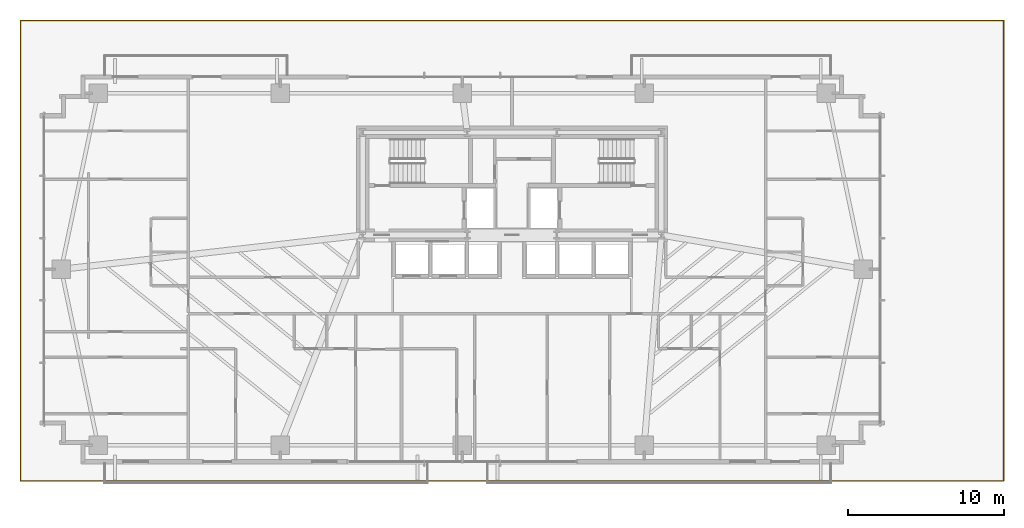
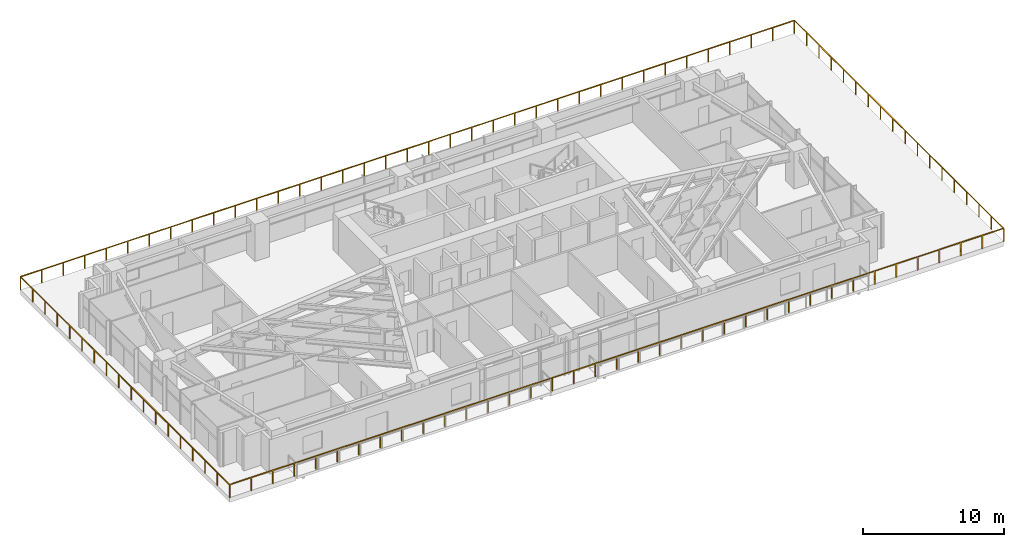
# One storey, part 24 of 26: 2 railings.
"""IFC4 building model written with IfcOpenShell, lengths in metres."""

import ifcopenshell
import ifcopenshell.guid

model = None  # the IFC model being written
_history = None  # IfcOwnerHistory: only IFC2X3 demands one
_inside = {}  # id of a spatial element -> (the spatial element, [elements in it])
_under = {}  # id of a project, library or spatial element -> (it, [spatial elements below it])
_declared = {}  # id of a project -> (the project, [libraries it declares])
_typed = {}  # id of a type object -> (the type object, [elements of that type])
_made_of = {}  # id of a material, layer set ... -> (it, [elements and type objects made of it])


def new_model(schema):
    """Start an empty IFC model of exactly this schema.

    Asked for "IFC4X3", IfcOpenShell would pick the latest addendum, in which some entities
    have other attributes; the version numbers below select the first issue.
    IFC2X3 requires an IfcOwnerHistory on every rooted entity: one is made here for all.
    """
    global model, _history
    if schema == "IFC4X3":
        model = ifcopenshell.file(schema_version=(4, 3, 0, 0))
    else:
        model = ifcopenshell.file(schema=schema)
    _inside.clear()
    _under.clear()
    _declared.clear()
    _typed.clear()
    _made_of.clear()
    _history = None
    if model.schema == "IFC2X3":
        org = make("IfcOrganization", Name="unknown")
        user = make(
            "IfcPersonAndOrganization",
            ThePerson=make("IfcPerson", FamilyName="unknown"),
            TheOrganization=org,
        )
        app = make(
            "IfcApplication",
            ApplicationDeveloper=org,
            Version="unknown",
            ApplicationFullName="unknown",
            ApplicationIdentifier="unknown",
        )
        _history = make(
            "IfcOwnerHistory",
            OwningUser=user,
            OwningApplication=app,
            ChangeAction="ADDED",
            CreationDate=0,
        )
    return model


def make(cls, **values):
    """One entity of the class cls with the attributes given. An attribute that is None is left unset."""
    return model.create_entity(
        cls, **{name: value for name, value in values.items() if value is not None}
    )


def rooted(cls, **values):
    """An entity with a GlobalId (a new one), such as an element, a storey or a relation."""
    return make(cls, GlobalId=ifcopenshell.guid.new(), OwnerHistory=_history, **values)


def si_unit(unit_type, name, prefix=None):
    """IfcSIUnit, for example si_unit("LENGTHUNIT", "METRE", prefix="MILLI")."""
    return make("IfcSIUnit", UnitType=unit_type, Prefix=prefix, Name=name)


def assignment(units):
    """IfcUnitAssignment: the units of a project."""
    return None if units is None else make("IfcUnitAssignment", Units=units)


def point(xyz):
    """IfcCartesianPoint."""
    return None if xyz is None else make("IfcCartesianPoint", Coordinates=xyz)


def direction(xyz):
    """IfcDirection."""
    return None if xyz is None else make("IfcDirection", DirectionRatios=xyz)


def frame(location, z_axis=None, x_axis=None):
    """IfcAxis2Placement3D, a coordinate frame: its origin and axes. An axis left out is left unset."""
    return make(
        "IfcAxis2Placement3D",
        Location=point(location),
        Axis=direction(z_axis),
        RefDirection=direction(x_axis),
    )


def frame_2d(location, x_axis=None):
    """IfcAxis2Placement2D, a coordinate frame in the plane: its origin and x axis."""
    return make(
        "IfcAxis2Placement2D", Location=point(location), RefDirection=direction(x_axis)
    )


def origin():
    """The frame at (0, 0, 0) with its axes left unset."""
    return frame((0.0, 0.0, 0.0))


def origin_2d():
    """The frame at (0, 0) in the plane with its x axis left unset."""
    return frame_2d((0.0, 0.0))


def place(relative_to, where):
    """IfcLocalPlacement: puts the frame where relative to a parent placement (None: the world)."""
    return make(
        "IfcLocalPlacement", PlacementRelTo=relative_to, RelativePlacement=where
    )


def context(
    kind, dimensions, precision=None, world=None, true_north=None, identifier=None
):
    """IfcGeometricRepresentationContext, for example the 3D "Model" context."""
    return make(
        "IfcGeometricRepresentationContext",
        ContextIdentifier=identifier,
        ContextType=kind,
        CoordinateSpaceDimension=dimensions,
        Precision=precision,
        WorldCoordinateSystem=world,
        TrueNorth=true_north,
    )


def subcontext(parent, identifier, kind, view, scale=None):
    """IfcGeometricRepresentationSubContext, for example "Body" below "Model"."""
    return make(
        "IfcGeometricRepresentationSubContext",
        ContextIdentifier=identifier,
        ContextType=kind,
        ParentContext=parent,
        TargetScale=scale,
        TargetView=view,
    )


def project(units=None, contexts=None):
    """IfcProject with its units and contexts."""
    return rooted(
        "IfcProject",
        Name="project",
        RepresentationContexts=contexts,
        UnitsInContext=assignment(units),
    )


def spatial(cls, under=None, at=None, **own):
    """A site, building, storey or space (cls), placed at a placement, below another one or the project."""
    s = rooted(cls, ObjectPlacement=at, **own)
    if under is not None:
        _under.setdefault(under.id(), (under, []))[1].append(s)
    return s


def profile(cls, at=None, kind="AREA", **sizes):
    """A parametric profile (cls). Its sizes go by their IFC names, for example OverallWidth=200.0."""
    return make(cls, ProfileType=kind, Position=at, **sizes)


def rectangle(**sizes):
    """IfcRectangleProfileDef."""
    return profile("IfcRectangleProfileDef", **sizes)


def extrude(swept, where, along, depth):
    """IfcExtrudedAreaSolid: the profile swept, set in the frame where, extruded along a direction by depth."""
    return make(
        "IfcExtrudedAreaSolid",
        SweptArea=swept,
        Position=where,
        ExtrudedDirection=direction(along),
        Depth=depth,
    )


def shape(context_of_items, identifier, shape_type, items):
    """IfcShapeRepresentation: the items that make up one representation, for example the "Body"."""
    return make(
        "IfcShapeRepresentation",
        ContextOfItems=context_of_items,
        RepresentationIdentifier=identifier,
        RepresentationType=shape_type,
        Items=items,
    )


def source(mapping_origin, context_of_items, identifier, shape_type, items):
    """IfcRepresentationMap: a shape defined once, which mapped items show again and again."""
    return make(
        "IfcRepresentationMap",
        MappingOrigin=mapping_origin,
        MappedRepresentation=shape(context_of_items, identifier, shape_type, items),
    )


def transform(
    local_origin,
    x_axis=None,
    y_axis=None,
    z_axis=None,
    scale=None,
    scale2=None,
    scale3=None,
    uniform=True,
):
    """IfcCartesianTransformationOperator3D, or its non-uniform kind. x_axis, y_axis, z_axis: its Axis1, 2, 3."""
    if uniform:
        return make(
            "IfcCartesianTransformationOperator3D",
            Axis1=direction(x_axis),
            Axis2=direction(y_axis),
            LocalOrigin=point(local_origin),
            Scale=scale,
            Axis3=direction(z_axis),
        )
    return make(
        "IfcCartesianTransformationOperator3DnonUniform",
        Axis1=direction(x_axis),
        Axis2=direction(y_axis),
        LocalOrigin=point(local_origin),
        Scale=scale,
        Axis3=direction(z_axis),
        Scale2=scale2,
        Scale3=scale3,
    )


def mapped(mapping_source, mapping_target):
    """IfcMappedItem: shows the shape of a source again, moved by a transform."""
    return make(
        "IfcMappedItem", MappingSource=mapping_source, MappingTarget=mapping_target
    )


def material(Name=None, Category=None):
    """IfcMaterial."""
    return make("IfcMaterial", Name=Name, Category=Category)


def made_of(thing, what):
    """Note that an element or type object is made of a material, layer set ...; save() writes the relation."""
    if what is not None:
        _made_of.setdefault(what.id(), (what, []))[1].append(thing)
    return thing


def type_object(cls, material=None, **own):
    """A type object (cls), such as IfcWallType, which elements share."""
    return made_of(rooted(cls, **own), material)


def type_shapes(of_type, sources):
    """Give a type object the sources (RepresentationMaps) that its elements show as mapped items."""
    of_type.RepresentationMaps = sources


def element(
    cls,
    number,
    at=None,
    inside=None,
    cuts=None,
    type_object=None,
    material=None,
    context=None,
    identifier="Body",
    shape_type=None,
    held_by="IfcProductDefinitionShape",
    body=None,
    shapes=None,
    **own,
):
    """One element of the class cls, such as IfcWall. Its Tag is "e" and its number.

    at: its placement. inside: the storey or other place that contains it. cuts: it is an
    opening in that element (IfcRelVoidsElement). A single representation is given by context,
    identifier, shape_type and body (its items); several are given by shapes. held_by: the class
    of the entity that holds the representations. save() writes the other relations.
    """
    e = rooted(cls, Tag="e%d" % number, ObjectPlacement=at, **own)
    if body is not None:
        shapes = [shape(context, identifier, shape_type, body)]
    if shapes is not None:
        e.Representation = make(held_by, Representations=shapes)
    if inside is not None:
        _inside.setdefault(inside.id(), (inside, []))[1].append(e)
    if cuts is not None:
        rooted(
            "IfcRelVoidsElement", RelatingBuildingElement=cuts, RelatedOpeningElement=e
        )
    if type_object is not None:
        _typed.setdefault(type_object.id(), (type_object, []))[1].append(e)
    return made_of(e, material)


def aggregate(whole, parts):
    """IfcRelAggregates: a whole, such as a stair, and the parts it consists of."""
    return rooted("IfcRelAggregates", RelatingObject=whole, RelatedObjects=parts)


def save(model, path):
    """Write the relations noted so far, then the file.

    IfcRelAggregates (storeys below a building ...), IfcRelContainedInSpatialStructure (elements
    in a storey), IfcRelDefinesByType, IfcRelAssociatesMaterial and IfcRelDeclares: one each for
    every whole, place, type object, material and project.
    """
    for whole, parts in _under.values():
        aggregate(whole, parts)
    for where, things in _inside.values():
        rooted(
            "IfcRelContainedInSpatialStructure",
            RelatedElements=things,
            RelatingStructure=where,
        )
    for kind, things in _typed.values():
        rooted("IfcRelDefinesByType", RelatedObjects=things, RelatingType=kind)
    for what, things in _made_of.values():
        rooted("IfcRelAssociatesMaterial", RelatedObjects=things, RelatingMaterial=what)
    for by, libraries in _declared.values():
        rooted("IfcRelDeclares", RelatingContext=by, RelatedDefinitions=libraries)
    model.write(path)


model = new_model("IFC4")

# Units and contexts
model_context = context("Model", 3, precision=1e-05, world=origin(), true_north=direction((0.0, 1.0)))
body_context = subcontext(model_context, "Body", "Model", "MODEL_VIEW")
ifc_project = project(units=[si_unit("LENGTHUNIT", "METRE"), si_unit("AREAUNIT", "SQUARE_METRE"), si_unit("VOLUMEUNIT", "CUBIC_METRE"), si_unit("PLANEANGLEUNIT", "RADIAN"), si_unit("MASSUNIT", "GRAM", prefix="KILO")], contexts=[model_context])

# Site, building, storey
site_placement = place(None, origin())
site = spatial("IfcSite", under=ifc_project, at=site_placement, CompositionType="ELEMENT")
building_placement = place(site_placement, origin())
building = spatial("IfcBuilding", under=site, at=building_placement, Name="Astriad Promenade Condominiums", CompositionType="ELEMENT")
storey_placement = place(building_placement, frame((0.0, 0.0, 23.0)))
storey = spatial("IfcBuildingStorey", under=building, at=storey_placement, Name="L05", CompositionType="ELEMENT", Elevation=23.0)

# Railings
ifc_material = material(Name="Anodised Aluminium and Glass Terrace Guardrail", Category="aluminium")
railing_type = type_object("IfcRailingType", Name="GRD-TERR-1150", PredefinedType="GUARDRAIL", material=ifc_material)
shared_shape_1 = source(origin(), body_context, "Body", "SweptSolid", [
    extrude(rectangle(XDim=0.048095703125, YDim=0.048095703125, at=origin_2d()), frame((0.0, 0.0, 1.1259765625), z_axis=(1.0, 0.0, 0.0), x_axis=(0.0, 1.0, 0.0)), (0.0, 0.0, 1.0), 63.2001953125),
    extrude(rectangle(XDim=0.048095703125, YDim=0.048095703125, at=origin_2d()), frame((63.2001953125, 0.0, 1.1259765625), z_axis=(0.0, -1.0, 0.0), x_axis=(1.0, 0.0, 0.0)), (0.0, 0.0, 1.0), 29.599853515625),
    extrude(rectangle(XDim=0.0419921875, YDim=0.0419921875, at=origin_2d()), origin(), (0.0, 0.0, 1.0), 1.101806640625),
    extrude(rectangle(XDim=0.0419921875, YDim=0.0419921875, at=origin_2d()), frame((1.755615234375, 0.0, 0.0)), (0.0, 0.0, 1.0), 1.101806640625),
    extrude(rectangle(XDim=0.0419921875, YDim=0.0419921875, at=origin_2d()), frame((3.51123046875, 0.0, 0.0)), (0.0, 0.0, 1.0), 1.101806640625),
    extrude(rectangle(XDim=0.0419921875, YDim=0.0419921875, at=origin_2d()), frame((5.2666015625, 0.0, 0.0)), (0.0, 0.0, 1.0), 1.101806640625),
    extrude(rectangle(XDim=0.0419921875, YDim=0.0419921875, at=origin_2d()), frame((7.022216796875, 0.0, 0.0)), (0.0, 0.0, 1.0), 1.101806640625),
    extrude(rectangle(XDim=0.0419921875, YDim=0.0419921875, at=origin_2d()), frame((8.77783203125, 0.0, 0.0)), (0.0, 0.0, 1.0), 1.101806640625),
    extrude(rectangle(XDim=0.0419921875, YDim=0.0419921875, at=origin_2d()), frame((10.533447265625, 0.0, 0.0)), (0.0, 0.0, 1.0), 1.101806640625),
    extrude(rectangle(XDim=0.0419921875, YDim=0.0419921875, at=origin_2d()), frame((12.288818359375, 0.0, 0.0)), (0.0, 0.0, 1.0), 1.101806640625),
    extrude(rectangle(XDim=0.0419921875, YDim=0.0419921875, at=origin_2d()), frame((14.04443359375, 0.0, 0.0)), (0.0, 0.0, 1.0), 1.101806640625),
    extrude(rectangle(XDim=0.0419921875, YDim=0.0419921875, at=origin_2d()), frame((15.800048828125, 0.0, 0.0)), (0.0, 0.0, 1.0), 1.101806640625),
    extrude(rectangle(XDim=0.0419921875, YDim=0.0419921875, at=origin_2d()), frame((17.5556640625, 0.0, 0.0)), (0.0, 0.0, 1.0), 1.101806640625),
    extrude(rectangle(XDim=0.0419921875, YDim=0.0419921875, at=origin_2d()), frame((19.311279296875, 0.0, 0.0)), (0.0, 0.0, 1.0), 1.101806640625),
    extrude(rectangle(XDim=0.0419921875, YDim=0.0419921875, at=origin_2d()), frame((21.066650390625, 0.0, 0.0)), (0.0, 0.0, 1.0), 1.101806640625),
    extrude(rectangle(XDim=0.0419921875, YDim=0.0419921875, at=origin_2d()), frame((22.822265625, 0.0, 0.0)), (0.0, 0.0, 1.0), 1.101806640625),
    extrude(rectangle(XDim=0.0419921875, YDim=0.0419921875, at=origin_2d()), frame((24.577880859375, 0.0, 0.0)), (0.0, 0.0, 1.0), 1.101806640625),
    extrude(rectangle(XDim=0.0419921875, YDim=0.0419921875, at=origin_2d()), frame((26.33349609375, 0.0, 0.0)), (0.0, 0.0, 1.0), 1.101806640625),
    extrude(rectangle(XDim=0.0419921875, YDim=0.0419921875, at=origin_2d()), frame((28.0888671875, 0.0, 0.0)), (0.0, 0.0, 1.0), 1.101806640625),
    extrude(rectangle(XDim=0.0419921875, YDim=0.0419921875, at=origin_2d()), frame((29.844482421875, 0.0, 0.0)), (0.0, 0.0, 1.0), 1.101806640625),
    extrude(rectangle(XDim=0.0419921875, YDim=0.0419921875, at=origin_2d()), frame((31.60009765625, 0.0, 0.0)), (0.0, 0.0, 1.0), 1.101806640625),
    extrude(rectangle(XDim=0.0419921875, YDim=0.0419921875, at=origin_2d()), frame((33.355712890625, 0.0, 0.0)), (0.0, 0.0, 1.0), 1.101806640625),
    extrude(rectangle(XDim=0.0419921875, YDim=0.0419921875, at=origin_2d()), frame((35.111328125, 0.0, 0.0)), (0.0, 0.0, 1.0), 1.101806640625),
    extrude(rectangle(XDim=0.0419921875, YDim=0.0419921875, at=origin_2d()), frame((36.86669921875, 0.0, 0.0)), (0.0, 0.0, 1.0), 1.101806640625),
    extrude(rectangle(XDim=0.0419921875, YDim=0.0419921875, at=origin_2d()), frame((38.622314453125, 0.0, 0.0)), (0.0, 0.0, 1.0), 1.101806640625),
    extrude(rectangle(XDim=0.0419921875, YDim=0.0419921875, at=origin_2d()), frame((40.3779296875, 0.0, 0.0)), (0.0, 0.0, 1.0), 1.101806640625),
    extrude(rectangle(XDim=0.0419921875, YDim=0.0419921875, at=origin_2d()), frame((42.133544921875, 0.0, 0.0)), (0.0, 0.0, 1.0), 1.101806640625),
    extrude(rectangle(XDim=0.0419921875, YDim=0.0419921875, at=origin_2d()), frame((43.888916015625, 0.0, 0.0)), (0.0, 0.0, 1.0), 1.101806640625),
    extrude(rectangle(XDim=0.0419921875, YDim=0.0419921875, at=origin_2d()), frame((45.64453125, 0.0, 0.0)), (0.0, 0.0, 1.0), 1.101806640625),
    extrude(rectangle(XDim=0.0419921875, YDim=0.0419921875, at=origin_2d()), frame((47.400146484375, 0.0, 0.0)), (0.0, 0.0, 1.0), 1.101806640625),
    extrude(rectangle(XDim=0.0419921875, YDim=0.0419921875, at=origin_2d()), frame((49.15576171875, 0.0, 0.0)), (0.0, 0.0, 1.0), 1.101806640625),
    extrude(rectangle(XDim=0.0419921875, YDim=0.0419921875, at=origin_2d()), frame((50.911376953125, 0.0, 0.0)), (0.0, 0.0, 1.0), 1.101806640625),
    extrude(rectangle(XDim=0.0419921875, YDim=0.0419921875, at=origin_2d()), frame((52.666748046875, 0.0, 0.0)), (0.0, 0.0, 1.0), 1.101806640625),
    extrude(rectangle(XDim=0.0419921875, YDim=0.0419921875, at=origin_2d()), frame((54.42236328125, 0.0, 0.0)), (0.0, 0.0, 1.0), 1.101806640625),
    extrude(rectangle(XDim=0.0419921875, YDim=0.0419921875, at=origin_2d()), frame((56.177978515625, 0.0, 0.0)), (0.0, 0.0, 1.0), 1.101806640625),
    extrude(rectangle(XDim=0.0419921875, YDim=0.0419921875, at=origin_2d()), frame((57.93359375, 0.0, 0.0)), (0.0, 0.0, 1.0), 1.101806640625),
    extrude(rectangle(XDim=0.0419921875, YDim=0.0419921875, at=origin_2d()), frame((59.68896484375, 0.0, 0.0)), (0.0, 0.0, 1.0), 1.101806640625),
    extrude(rectangle(XDim=0.0419921875, YDim=0.0419921875, at=origin_2d()), frame((61.444580078125, 0.0, 0.0)), (0.0, 0.0, 1.0), 1.101806640625),
    extrude(rectangle(XDim=0.0419921875, YDim=0.0419921875, at=origin_2d()), frame((63.2001953125, 0.0, 0.0)), (0.0, 0.0, 1.0), 1.101806640625),
    extrude(rectangle(XDim=0.0419921875, YDim=0.0419921875, at=origin_2d()), frame((63.2001953125, -1.7412109375, 0.0)), (0.0, 0.0, 1.0), 1.101806640625),
    extrude(rectangle(XDim=0.0419921875, YDim=0.0419921875, at=origin_2d()), frame((63.2001953125, -3.482421875, 0.0)), (0.0, 0.0, 1.0), 1.101806640625),
    extrude(rectangle(XDim=0.0419921875, YDim=0.0419921875, at=origin_2d()), frame((63.2001953125, -5.223388671875, 0.0)), (0.0, 0.0, 1.0), 1.101806640625),
    extrude(rectangle(XDim=0.0419921875, YDim=0.0419921875, at=origin_2d()), frame((63.2001953125, -6.964599609375, 0.0)), (0.0, 0.0, 1.0), 1.101806640625),
    extrude(rectangle(XDim=0.0419921875, YDim=0.0419921875, at=origin_2d()), frame((63.2001953125, -8.705810546875, 0.0)), (0.0, 0.0, 1.0), 1.101806640625),
    extrude(rectangle(XDim=0.0419921875, YDim=0.0419921875, at=origin_2d()), frame((63.2001953125, -10.447021484375, 0.0)), (0.0, 0.0, 1.0), 1.101806640625),
    extrude(rectangle(XDim=0.0419921875, YDim=0.0419921875, at=origin_2d()), frame((63.2001953125, -12.188232421875, 0.0)), (0.0, 0.0, 1.0), 1.101806640625),
    extrude(rectangle(XDim=0.0419921875, YDim=0.0419921875, at=origin_2d()), frame((63.2001953125, -13.929443359375, 0.0)), (0.0, 0.0, 1.0), 1.101806640625),
    extrude(rectangle(XDim=0.0419921875, YDim=0.0419921875, at=origin_2d()), frame((63.2001953125, -15.67041015625, 0.0)), (0.0, 0.0, 1.0), 1.101806640625),
    extrude(rectangle(XDim=0.0419921875, YDim=0.0419921875, at=origin_2d()), frame((63.2001953125, -17.41162109375, 0.0)), (0.0, 0.0, 1.0), 1.101806640625),
    extrude(rectangle(XDim=0.0419921875, YDim=0.0419921875, at=origin_2d()), frame((63.2001953125, -19.15283203125, 0.0)), (0.0, 0.0, 1.0), 1.101806640625),
    extrude(rectangle(XDim=0.0419921875, YDim=0.0419921875, at=origin_2d()), frame((63.2001953125, -20.89404296875, 0.0)), (0.0, 0.0, 1.0), 1.101806640625),
    extrude(rectangle(XDim=0.0419921875, YDim=0.0419921875, at=origin_2d()), frame((63.2001953125, -22.63525390625, 0.0)), (0.0, 0.0, 1.0), 1.101806640625),
    extrude(rectangle(XDim=0.0419921875, YDim=0.0419921875, at=origin_2d()), frame((63.2001953125, -24.37646484375, 0.0)), (0.0, 0.0, 1.0), 1.101806640625),
    extrude(rectangle(XDim=0.0419921875, YDim=0.0419921875, at=origin_2d()), frame((63.2001953125, -26.117431640625, 0.0)), (0.0, 0.0, 1.0), 1.101806640625),
    extrude(rectangle(XDim=0.0419921875, YDim=0.0419921875, at=origin_2d()), frame((63.2001953125, -27.858642578125, 0.0)), (0.0, 0.0, 1.0), 1.101806640625),
    extrude(rectangle(XDim=0.0419921875, YDim=0.0419921875, at=origin_2d()), frame((63.2001953125, -29.599853515625, 0.0)), (0.0, 0.0, 1.0), 1.101806640625),
])
railing_1_placement = place(storey_placement, frame((4.39990234375, 31.199951171875, 0.0)))
element("IfcRailing", 1, at=railing_1_placement, inside=storey, type_object=railing_type, Name="GRD-PSTEP-L05-01", PredefinedType="GUARDRAIL", context=body_context, shape_type="MappedRepresentation", body=[
    mapped(shared_shape_1, transform((0.0, 0.0, 0.0), scale=1.0)),
])
shared_shape_2 = source(origin(), body_context, "Body", "SweptSolid", [
    extrude(rectangle(XDim=0.048095703125, YDim=0.048095703125, at=origin_2d()), frame((0.0, 0.0, 1.1259765625), z_axis=(-1.0, 0.0, 0.0), x_axis=(0.0, -1.0, 0.0)), (0.0, 0.0, 1.0), 63.2001953125),
    extrude(rectangle(XDim=0.048095703125, YDim=0.048095703125, at=origin_2d()), frame((-63.2001953125, 0.0, 1.1259765625), z_axis=(0.0, 1.0, 0.0), x_axis=(-1.0, 0.0, 0.0)), (0.0, 0.0, 1.0), 29.599853515625),
    extrude(rectangle(XDim=0.0419921875, YDim=0.0419921875, at=origin_2d()), origin(), (0.0, 0.0, 1.0), 1.101806640625),
    extrude(rectangle(XDim=0.0419921875, YDim=0.0419921875, at=origin_2d()), frame((-1.755615234375, 0.0, 0.0)), (0.0, 0.0, 1.0), 1.101806640625),
    extrude(rectangle(XDim=0.0419921875, YDim=0.0419921875, at=origin_2d()), frame((-3.51123046875, 0.0, 0.0)), (0.0, 0.0, 1.0), 1.101806640625),
    extrude(rectangle(XDim=0.0419921875, YDim=0.0419921875, at=origin_2d()), frame((-5.2666015625, 0.0, 0.0)), (0.0, 0.0, 1.0), 1.101806640625),
    extrude(rectangle(XDim=0.0419921875, YDim=0.0419921875, at=origin_2d()), frame((-7.022216796875, 0.0, 0.0)), (0.0, 0.0, 1.0), 1.101806640625),
    extrude(rectangle(XDim=0.0419921875, YDim=0.0419921875, at=origin_2d()), frame((-8.77783203125, 0.0, 0.0)), (0.0, 0.0, 1.0), 1.101806640625),
    extrude(rectangle(XDim=0.0419921875, YDim=0.0419921875, at=origin_2d()), frame((-10.533447265625, 0.0, 0.0)), (0.0, 0.0, 1.0), 1.101806640625),
    extrude(rectangle(XDim=0.0419921875, YDim=0.0419921875, at=origin_2d()), frame((-12.288818359375, 0.0, 0.0)), (0.0, 0.0, 1.0), 1.101806640625),
    extrude(rectangle(XDim=0.0419921875, YDim=0.0419921875, at=origin_2d()), frame((-14.04443359375, 0.0, 0.0)), (0.0, 0.0, 1.0), 1.101806640625),
    extrude(rectangle(XDim=0.0419921875, YDim=0.0419921875, at=origin_2d()), frame((-15.800048828125, 0.0, 0.0)), (0.0, 0.0, 1.0), 1.101806640625),
    extrude(rectangle(XDim=0.0419921875, YDim=0.0419921875, at=origin_2d()), frame((-17.5556640625, 0.0, 0.0)), (0.0, 0.0, 1.0), 1.101806640625),
    extrude(rectangle(XDim=0.0419921875, YDim=0.0419921875, at=origin_2d()), frame((-19.311279296875, 0.0, 0.0)), (0.0, 0.0, 1.0), 1.101806640625),
    extrude(rectangle(XDim=0.0419921875, YDim=0.0419921875, at=origin_2d()), frame((-21.066650390625, 0.0, 0.0)), (0.0, 0.0, 1.0), 1.101806640625),
    extrude(rectangle(XDim=0.0419921875, YDim=0.0419921875, at=origin_2d()), frame((-22.822265625, 0.0, 0.0)), (0.0, 0.0, 1.0), 1.101806640625),
    extrude(rectangle(XDim=0.0419921875, YDim=0.0419921875, at=origin_2d()), frame((-24.577880859375, 0.0, 0.0)), (0.0, 0.0, 1.0), 1.101806640625),
    extrude(rectangle(XDim=0.0419921875, YDim=0.0419921875, at=origin_2d()), frame((-26.33349609375, 0.0, 0.0)), (0.0, 0.0, 1.0), 1.101806640625),
    extrude(rectangle(XDim=0.0419921875, YDim=0.0419921875, at=origin_2d()), frame((-28.0888671875, 0.0, 0.0)), (0.0, 0.0, 1.0), 1.101806640625),
    extrude(rectangle(XDim=0.0419921875, YDim=0.0419921875, at=origin_2d()), frame((-29.844482421875, 0.0, 0.0)), (0.0, 0.0, 1.0), 1.101806640625),
    extrude(rectangle(XDim=0.0419921875, YDim=0.0419921875, at=origin_2d()), frame((-31.60009765625, 0.0, 0.0)), (0.0, 0.0, 1.0), 1.101806640625),
    extrude(rectangle(XDim=0.0419921875, YDim=0.0419921875, at=origin_2d()), frame((-33.355712890625, 0.0, 0.0)), (0.0, 0.0, 1.0), 1.101806640625),
    extrude(rectangle(XDim=0.0419921875, YDim=0.0419921875, at=origin_2d()), frame((-35.111328125, 0.0, 0.0)), (0.0, 0.0, 1.0), 1.101806640625),
    extrude(rectangle(XDim=0.0419921875, YDim=0.0419921875, at=origin_2d()), frame((-36.86669921875, 0.0, 0.0)), (0.0, 0.0, 1.0), 1.101806640625),
    extrude(rectangle(XDim=0.0419921875, YDim=0.0419921875, at=origin_2d()), frame((-38.622314453125, 0.0, 0.0)), (0.0, 0.0, 1.0), 1.101806640625),
    extrude(rectangle(XDim=0.0419921875, YDim=0.0419921875, at=origin_2d()), frame((-40.3779296875, 0.0, 0.0)), (0.0, 0.0, 1.0), 1.101806640625),
    extrude(rectangle(XDim=0.0419921875, YDim=0.0419921875, at=origin_2d()), frame((-42.133544921875, 0.0, 0.0)), (0.0, 0.0, 1.0), 1.101806640625),
    extrude(rectangle(XDim=0.0419921875, YDim=0.0419921875, at=origin_2d()), frame((-43.888916015625, 0.0, 0.0)), (0.0, 0.0, 1.0), 1.101806640625),
    extrude(rectangle(XDim=0.0419921875, YDim=0.0419921875, at=origin_2d()), frame((-45.64453125, 0.0, 0.0)), (0.0, 0.0, 1.0), 1.101806640625),
    extrude(rectangle(XDim=0.0419921875, YDim=0.0419921875, at=origin_2d()), frame((-47.400146484375, 0.0, 0.0)), (0.0, 0.0, 1.0), 1.101806640625),
    extrude(rectangle(XDim=0.0419921875, YDim=0.0419921875, at=origin_2d()), frame((-49.15576171875, 0.0, 0.0)), (0.0, 0.0, 1.0), 1.101806640625),
    extrude(rectangle(XDim=0.0419921875, YDim=0.0419921875, at=origin_2d()), frame((-50.911376953125, 0.0, 0.0)), (0.0, 0.0, 1.0), 1.101806640625),
    extrude(rectangle(XDim=0.0419921875, YDim=0.0419921875, at=origin_2d()), frame((-52.666748046875, 0.0, 0.0)), (0.0, 0.0, 1.0), 1.101806640625),
    extrude(rectangle(XDim=0.0419921875, YDim=0.0419921875, at=origin_2d()), frame((-54.42236328125, 0.0, 0.0)), (0.0, 0.0, 1.0), 1.101806640625),
    extrude(rectangle(XDim=0.0419921875, YDim=0.0419921875, at=origin_2d()), frame((-56.177978515625, 0.0, 0.0)), (0.0, 0.0, 1.0), 1.101806640625),
    extrude(rectangle(XDim=0.0419921875, YDim=0.0419921875, at=origin_2d()), frame((-57.93359375, 0.0, 0.0)), (0.0, 0.0, 1.0), 1.101806640625),
    extrude(rectangle(XDim=0.0419921875, YDim=0.0419921875, at=origin_2d()), frame((-59.68896484375, 0.0, 0.0)), (0.0, 0.0, 1.0), 1.101806640625),
    extrude(rectangle(XDim=0.0419921875, YDim=0.0419921875, at=origin_2d()), frame((-61.444580078125, 0.0, 0.0)), (0.0, 0.0, 1.0), 1.101806640625),
    extrude(rectangle(XDim=0.0419921875, YDim=0.0419921875, at=origin_2d()), frame((-63.2001953125, 0.0, 0.0)), (0.0, 0.0, 1.0), 1.101806640625),
    extrude(rectangle(XDim=0.0419921875, YDim=0.0419921875, at=origin_2d()), frame((-63.2001953125, 1.7412109375, 0.0)), (0.0, 0.0, 1.0), 1.101806640625),
    extrude(rectangle(XDim=0.0419921875, YDim=0.0419921875, at=origin_2d()), frame((-63.2001953125, 3.482421875, 0.0)), (0.0, 0.0, 1.0), 1.101806640625),
    extrude(rectangle(XDim=0.0419921875, YDim=0.0419921875, at=origin_2d()), frame((-63.2001953125, 5.223388671875, 0.0)), (0.0, 0.0, 1.0), 1.101806640625),
    extrude(rectangle(XDim=0.0419921875, YDim=0.0419921875, at=origin_2d()), frame((-63.2001953125, 6.964599609375, 0.0)), (0.0, 0.0, 1.0), 1.101806640625),
    extrude(rectangle(XDim=0.0419921875, YDim=0.0419921875, at=origin_2d()), frame((-63.2001953125, 8.705810546875, 0.0)), (0.0, 0.0, 1.0), 1.101806640625),
    extrude(rectangle(XDim=0.0419921875, YDim=0.0419921875, at=origin_2d()), frame((-63.2001953125, 10.447021484375, 0.0)), (0.0, 0.0, 1.0), 1.101806640625),
    extrude(rectangle(XDim=0.0419921875, YDim=0.0419921875, at=origin_2d()), frame((-63.2001953125, 12.188232421875, 0.0)), (0.0, 0.0, 1.0), 1.101806640625),
    extrude(rectangle(XDim=0.0419921875, YDim=0.0419921875, at=origin_2d()), frame((-63.2001953125, 13.929443359375, 0.0)), (0.0, 0.0, 1.0), 1.101806640625),
    extrude(rectangle(XDim=0.0419921875, YDim=0.0419921875, at=origin_2d()), frame((-63.2001953125, 15.67041015625, 0.0)), (0.0, 0.0, 1.0), 1.101806640625),
    extrude(rectangle(XDim=0.0419921875, YDim=0.0419921875, at=origin_2d()), frame((-63.2001953125, 17.41162109375, 0.0)), (0.0, 0.0, 1.0), 1.101806640625),
    extrude(rectangle(XDim=0.0419921875, YDim=0.0419921875, at=origin_2d()), frame((-63.2001953125, 19.15283203125, 0.0)), (0.0, 0.0, 1.0), 1.101806640625),
    extrude(rectangle(XDim=0.0419921875, YDim=0.0419921875, at=origin_2d()), frame((-63.2001953125, 20.89404296875, 0.0)), (0.0, 0.0, 1.0), 1.101806640625),
    extrude(rectangle(XDim=0.0419921875, YDim=0.0419921875, at=origin_2d()), frame((-63.2001953125, 22.63525390625, 0.0)), (0.0, 0.0, 1.0), 1.101806640625),
    extrude(rectangle(XDim=0.0419921875, YDim=0.0419921875, at=origin_2d()), frame((-63.2001953125, 24.37646484375, 0.0)), (0.0, 0.0, 1.0), 1.101806640625),
    extrude(rectangle(XDim=0.0419921875, YDim=0.0419921875, at=origin_2d()), frame((-63.2001953125, 26.117431640625, 0.0)), (0.0, 0.0, 1.0), 1.101806640625),
    extrude(rectangle(XDim=0.0419921875, YDim=0.0419921875, at=origin_2d()), frame((-63.2001953125, 27.858642578125, 0.0)), (0.0, 0.0, 1.0), 1.101806640625),
    extrude(rectangle(XDim=0.0419921875, YDim=0.0419921875, at=origin_2d()), frame((-63.2001953125, 29.599853515625, 0.0)), (0.0, 0.0, 1.0), 1.101806640625),
])
type_shapes(railing_type, [shared_shape_1, shared_shape_2])
railing_2_placement = place(storey_placement, frame((67.60009765625, 1.60009765625, 0.0)))
element("IfcRailing", 2, at=railing_2_placement, inside=storey, type_object=railing_type, Name="GRD-PSTEP-L05-02", PredefinedType="GUARDRAIL", context=body_context, shape_type="MappedRepresentation", body=[
    mapped(shared_shape_2, transform((0.0, 0.0, 0.0), scale=1.0)),
])

save(model, "model.ifc")
